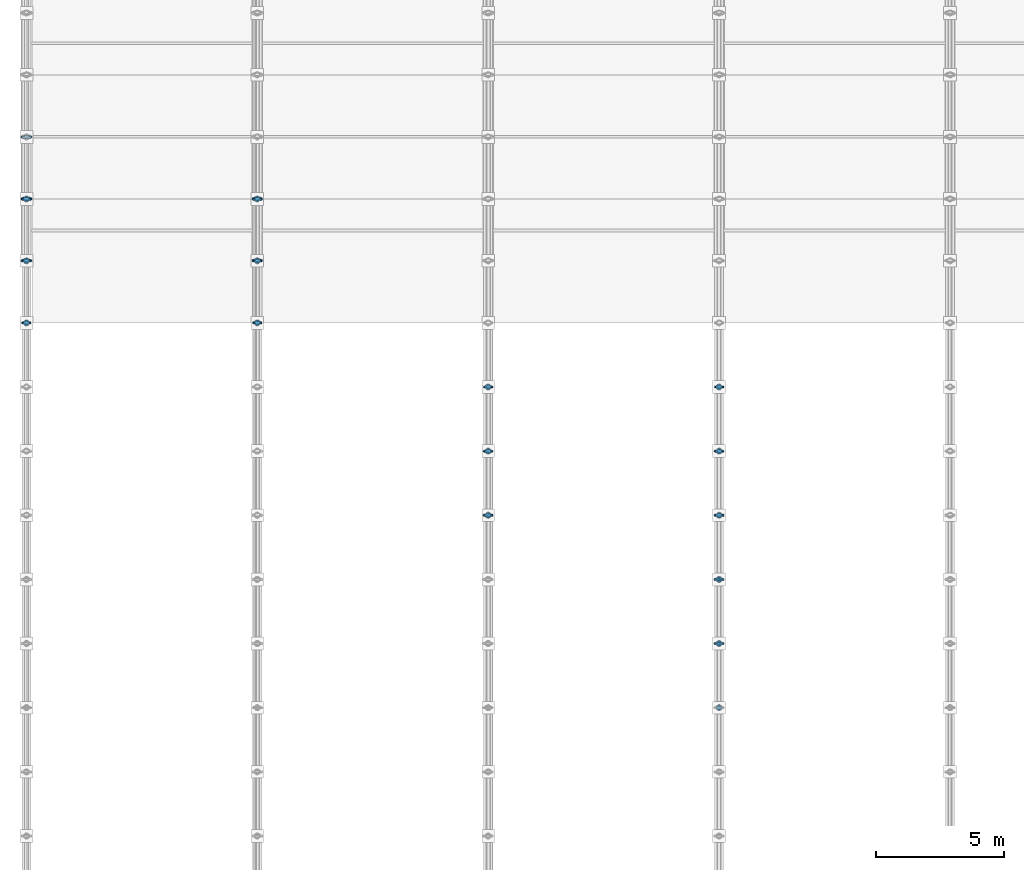
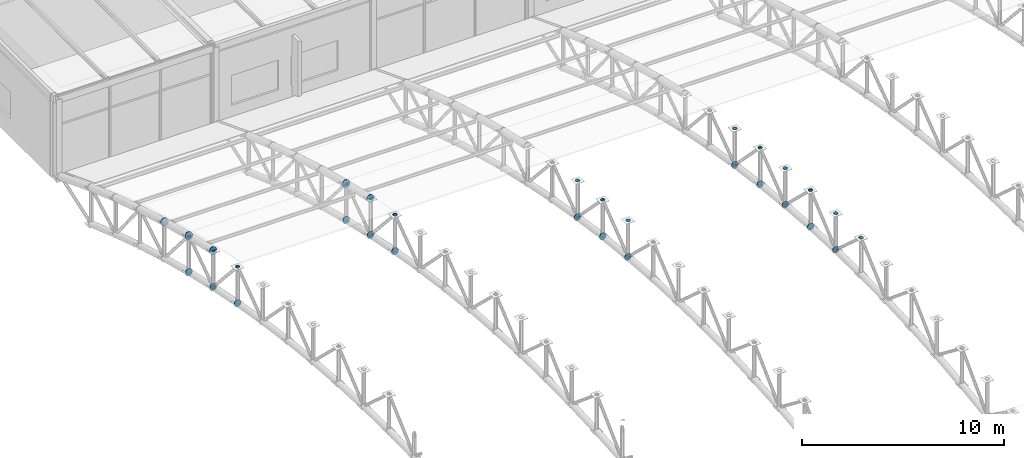
# One storey, part 130 of 195: 93 discrete accessories.
"""IFC4 building model written with IfcOpenShell, lengths in metres."""

from ifc_helpers import new_model, si_unit, direction, frame, origin, origin_2d, place, context, subcontext, project, spatial, circle, extrude, material, element, save


model = new_model("IFC4")

# Units and contexts
model_context = context("Model", 3, precision=1e-05, world=origin(), true_north=direction((0.0, 1.0)))
body_context = subcontext(model_context, "Body", "Model", "MODEL_VIEW")
ifc_project = project(units=[si_unit("LENGTHUNIT", "METRE"), si_unit("AREAUNIT", "SQUARE_METRE"), si_unit("VOLUMEUNIT", "CUBIC_METRE"), si_unit("PLANEANGLEUNIT", "RADIAN"), si_unit("MASSUNIT", "GRAM", prefix="KILO")], contexts=[model_context])

# Site, building, storey
site_placement = place(None, origin())
site = spatial("IfcSite", under=ifc_project, at=site_placement, CompositionType="ELEMENT")
building_placement = place(site_placement, origin())
building = spatial("IfcBuilding", under=site, at=building_placement, Name="Marlcrest Central Station", CompositionType="ELEMENT")
storey_placement = place(building_placement, frame((0.0, 0.0, 9.800048828125)))
storey = spatial("IfcBuildingStorey", under=building, at=storey_placement, Name="L02", CompositionType="ELEMENT", Elevation=9.800048828125)

# Discrete accessories
ifc_material = material(Name="Steel S355", Category="steel")
discrete_accessory_1_placement = place(storey_placement, frame((0.0, 80.975341796875, 3.407958984375), z_axis=(0.0, 0.98574109921, -0.168269086076), x_axis=(-1.0, 0.0, 0.0)))
element("IfcDiscreteAccessory", 1, at=discrete_accessory_1_placement, inside=storey, material=ifc_material, Name="endcap-mem-AC-02-L02-00132-e", ObjectType="END_CAP_PLATE", PredefinedType="BRACKET", context=body_context, shape_type="SweptSolid", body=[
    extrude(circle(Radius=0.185791015625, at=origin_2d()), origin(), (0.0, 0.0, 1.0), 0.0400390625),
])
discrete_accessory_2_placement = place(storey_placement, frame((0.0, 80.9794921875, 5.58935546875), z_axis=(0.0, 0.815661132754, 0.57852996164), x_axis=(-1.0, 0.0, 0.0)))
element("IfcDiscreteAccessory", 2, at=discrete_accessory_2_placement, inside=storey, material=ifc_material, Name="endcap-mem-AD-01-L02-00134-e", ObjectType="END_CAP_PLATE", PredefinedType="BRACKET", context=body_context, shape_type="SweptSolid", body=[
    extrude(circle(Radius=0.092041015625, at=origin_2d()), origin(), (0.0, 0.0, 1.0), 0.0400390625),
])
for number, where, z_axis, x_axis, name in (
    (3, (0.0, 80.9853515625, 3.40673828125), (0.0, 0.980359417961, -0.197219196874), (-1.0, 0.0, 0.0), "endcap-mem-AC-02-L02-00136-s"),
    (4, (0.0, 83.3955078125, 2.921875), (0.0, 0.980359417961, -0.197219196874), (-1.0, 0.0, 0.0), "endcap-mem-AC-02-L02-00136-e"),
):
    element("IfcDiscreteAccessory", number, at=place(storey_placement, frame(where, z_axis=z_axis, x_axis=x_axis)), inside=storey, material=ifc_material, Name=name, ObjectType="END_CAP_PLATE", PredefinedType="BRACKET", context=body_context, shape_type="SweptSolid", body=[
        extrude(circle(Radius=0.185791015625, at=origin_2d()), origin(), (0.0, 0.0, 1.0), 0.0400390625),
    ])
for number, where, z_axis, x_axis, name in (
    (5, (0.0, 81.0, 3.388916015625), (0.0, 0.0, 1.0), (1.0, 0.0, 0.0), "endcap-mem-AP-01-L02-00137-s"),
    (6, (0.0, 81.0, 5.578857421875), (0.0, 0.0, 1.0), (1.0, 0.0, 0.0), "endcap-mem-AP-01-L02-00137-e"),
):
    element("IfcDiscreteAccessory", number, at=place(storey_placement, frame(where, z_axis=z_axis, x_axis=x_axis)), inside=storey, material=ifc_material, Name=name, ObjectType="END_CAP_PLATE", PredefinedType="BRACKET", context=body_context, shape_type="SweptSolid", body=[
        extrude(circle(Radius=0.117431640625, at=origin_2d()), origin(), (0.0, 0.0, 1.0), 0.0400390625),
    ])
for number, where, z_axis, x_axis, name in (
    (7, (0.0, 80.989990234375, 5.614990234375), (0.0, 0.669244457479, -0.743042297675), (-1.0, 0.0, 0.0), "endcap-mem-AD-01-L02-00138-s"),
    (8, (0.0, 83.403076171875, 2.935546875), (0.0, 0.669244457479, -0.743042297675), (-1.0, 0.0, 0.0), "endcap-mem-AD-01-L02-00138-e"),
):
    element("IfcDiscreteAccessory", number, at=place(storey_placement, frame(where, z_axis=z_axis, x_axis=x_axis)), inside=storey, material=ifc_material, Name=name, ObjectType="END_CAP_PLATE", PredefinedType="BRACKET", context=body_context, shape_type="SweptSolid", body=[
        extrude(circle(Radius=0.092041015625, at=origin_2d()), origin(), (0.0, 0.0, 1.0), 0.0400390625),
    ])
for number, where, z_axis, x_axis, name in (
    (9, (0.0, 83.4052734375, 5.120361328125), (0.0, 0.974329612642, -0.225126200004), (-1.0, 0.0, 0.0), "endcap-mem-AC-01-L02-00139-s"),
    (10, (0.0, 85.8056640625, 4.565673828125), (0.0, 0.974329612642, -0.225126200004), (-1.0, 0.0, 0.0), "endcap-mem-AC-01-L02-00139-e"),
):
    element("IfcDiscreteAccessory", number, at=place(storey_placement, frame(where, z_axis=z_axis, x_axis=x_axis)), inside=storey, material=ifc_material, Name=name, ObjectType="END_CAP_PLATE", PredefinedType="BRACKET", context=body_context, shape_type="SweptSolid", body=[
        extrude(circle(Radius=0.211181640625, at=origin_2d()), origin(), (0.0, 0.0, 1.0), 0.0400390625),
    ])
for number, where, z_axis, x_axis, name in (
    (11, (0.0, 83.4052734375, 2.92041015625), (0.0, 0.974307959875, -0.225219891049), (-1.0, 0.0, 0.0), "endcap-mem-AC-02-L02-00140-s"),
    (12, (0.0, 85.8056640625, 2.365478515625), (0.0, 0.974307959875, -0.225219891049), (-1.0, 0.0, 0.0), "endcap-mem-AC-02-L02-00140-e"),
):
    element("IfcDiscreteAccessory", number, at=place(storey_placement, frame(where, z_axis=z_axis, x_axis=x_axis)), inside=storey, material=ifc_material, Name=name, ObjectType="END_CAP_PLATE", PredefinedType="BRACKET", context=body_context, shape_type="SweptSolid", body=[
        extrude(circle(Radius=0.185791015625, at=origin_2d()), origin(), (0.0, 0.0, 1.0), 0.0400390625),
    ])
for number, where, z_axis, x_axis, name in (
    (13, (0.0, 83.419921875, 2.902099609375), (0.0, 0.0, 1.0), (1.0, 0.0, 0.0), "endcap-mem-AP-01-L02-00141-s"),
    (14, (0.0, 83.419921875, 5.092041015625), (0.0, 0.0, 1.0), (1.0, 0.0, 0.0), "endcap-mem-AP-01-L02-00141-e"),
):
    element("IfcDiscreteAccessory", number, at=place(storey_placement, frame(where, z_axis=z_axis, x_axis=x_axis)), inside=storey, material=ifc_material, Name=name, ObjectType="END_CAP_PLATE", PredefinedType="BRACKET", context=body_context, shape_type="SweptSolid", body=[
        extrude(circle(Radius=0.117431640625, at=origin_2d()), origin(), (0.0, 0.0, 1.0), 0.0400390625),
    ])
for number, where, z_axis, x_axis, name in (
    (15, (0.0, 83.407470703125, 2.908447265625), (0.0, 0.82626275624, 0.563284881432), (-1.0, 0.0, 0.0), "endcap-mem-AD-01-L02-00142-s"),
    (16, (0.0, 85.809326171875, 4.5458984375), (0.0, 0.82626275624, 0.563284881432), (-1.0, 0.0, 0.0), "endcap-mem-AD-01-L02-00142-e"),
):
    element("IfcDiscreteAccessory", number, at=place(storey_placement, frame(where, z_axis=z_axis, x_axis=x_axis)), inside=storey, material=ifc_material, Name=name, ObjectType="END_CAP_PLATE", PredefinedType="BRACKET", context=body_context, shape_type="SweptSolid", body=[
        extrude(circle(Radius=0.092041015625, at=origin_2d()), origin(), (0.0, 0.0, 1.0), 0.0400390625),
    ])
for number, where, z_axis, x_axis, name in (
    (17, (0.0, 85.815673828125, 4.56396484375), (0.0, 0.967539481681, -0.252719906989), (-1.0, 0.0, 0.0), "endcap-mem-AC-01-L02-00143-s"),
    (18, (0.0, 88.225830078125, 3.934326171875), (0.0, 0.967539481681, -0.252719906989), (-1.0, 0.0, 0.0), "endcap-mem-AC-01-L02-00143-e"),
):
    element("IfcDiscreteAccessory", number, at=place(storey_placement, frame(where, z_axis=z_axis, x_axis=x_axis)), inside=storey, material=ifc_material, Name=name, ObjectType="END_CAP_PLATE", PredefinedType="BRACKET", context=body_context, shape_type="SweptSolid", body=[
        extrude(circle(Radius=0.211181640625, at=origin_2d()), origin(), (0.0, 0.0, 1.0), 0.0400390625),
    ])
discrete_accessory_3_placement = place(storey_placement, frame((0.0, 85.815673828125, 2.36376953125), z_axis=(0.0, 0.967563345928, -0.252628524946), x_axis=(-1.0, 0.0, 0.0)))
element("IfcDiscreteAccessory", 19, at=discrete_accessory_3_placement, inside=storey, material=ifc_material, Name="endcap-mem-AC-02-L02-00144-s", ObjectType="END_CAP_PLATE", PredefinedType="BRACKET", context=body_context, shape_type="SweptSolid", body=[
    extrude(circle(Radius=0.185791015625, at=origin_2d()), origin(), (0.0, 0.0, 1.0), 0.0400390625),
])
for number, where, z_axis, x_axis, name in (
    (20, (0.0, 85.830078125, 2.344970703125), (0.0, 0.0, 1.0), (1.0, 0.0, 0.0), "endcap-mem-AP-01-L02-00145-s"),
    (21, (0.0, 85.830078125, 4.53515625), (0.0, 0.0, 1.0), (1.0, 0.0, 0.0), "endcap-mem-AP-01-L02-00145-e"),
):
    element("IfcDiscreteAccessory", number, at=place(storey_placement, frame(where, z_axis=z_axis, x_axis=x_axis)), inside=storey, material=ifc_material, Name=name, ObjectType="END_CAP_PLATE", PredefinedType="BRACKET", context=body_context, shape_type="SweptSolid", body=[
        extrude(circle(Radius=0.117431640625, at=origin_2d()), origin(), (0.0, 0.0, 1.0), 0.0400390625),
    ])
discrete_accessory_4_placement = place(storey_placement, frame((0.0, 85.8203125, 4.571533203125), z_axis=(0.0, 0.649624779144, -0.760254987699), x_axis=(-1.0, 0.0, 0.0)))
element("IfcDiscreteAccessory", 22, at=discrete_accessory_4_placement, inside=storey, material=ifc_material, Name="endcap-mem-AD-01-L02-00146-s", ObjectType="END_CAP_PLATE", PredefinedType="BRACKET", context=body_context, shape_type="SweptSolid", body=[
    extrude(circle(Radius=0.092041015625, at=origin_2d()), origin(), (0.0, 0.0, 1.0), 0.0400390625),
])
discrete_accessory_5_placement = place(storey_placement, frame((9.0, 80.975341796875, 3.407958984375), z_axis=(0.0, 0.98574109921, -0.168269086076), x_axis=(-1.0, 0.0, 0.0)))
element("IfcDiscreteAccessory", 23, at=discrete_accessory_5_placement, inside=storey, material=ifc_material, Name="endcap-mem-AC-02-L02-00248-e", ObjectType="END_CAP_PLATE", PredefinedType="BRACKET", context=body_context, shape_type="SweptSolid", body=[
    extrude(circle(Radius=0.185791015625, at=origin_2d()), origin(), (0.0, 0.0, 1.0), 0.0400390625),
])
discrete_accessory_6_placement = place(storey_placement, frame((9.0, 80.9794921875, 5.58935546875), z_axis=(0.0, 0.815661132754, 0.57852996164), x_axis=(-1.0, 0.0, 0.0)))
element("IfcDiscreteAccessory", 24, at=discrete_accessory_6_placement, inside=storey, material=ifc_material, Name="endcap-mem-AD-01-L02-00250-e", ObjectType="END_CAP_PLATE", PredefinedType="BRACKET", context=body_context, shape_type="SweptSolid", body=[
    extrude(circle(Radius=0.092041015625, at=origin_2d()), origin(), (0.0, 0.0, 1.0), 0.0400390625),
])
for number, where, z_axis, x_axis, name in (
    (25, (9.0, 80.9853515625, 3.40673828125), (0.0, 0.980359417961, -0.197219196874), (-1.0, 0.0, 0.0), "endcap-mem-AC-02-L02-00252-s"),
    (26, (9.0, 83.3955078125, 2.921875), (0.0, 0.980359417961, -0.197219196874), (-1.0, 0.0, 0.0), "endcap-mem-AC-02-L02-00252-e"),
):
    element("IfcDiscreteAccessory", number, at=place(storey_placement, frame(where, z_axis=z_axis, x_axis=x_axis)), inside=storey, material=ifc_material, Name=name, ObjectType="END_CAP_PLATE", PredefinedType="BRACKET", context=body_context, shape_type="SweptSolid", body=[
        extrude(circle(Radius=0.185791015625, at=origin_2d()), origin(), (0.0, 0.0, 1.0), 0.0400390625),
    ])
for number, where, z_axis, x_axis, name in (
    (27, (9.0, 81.0, 3.388916015625), (0.0, 0.0, 1.0), (1.0, 0.0, 0.0), "endcap-mem-AP-01-L02-00253-s"),
    (28, (9.0, 81.0, 5.578857421875), (0.0, 0.0, 1.0), (1.0, 0.0, 0.0), "endcap-mem-AP-01-L02-00253-e"),
):
    element("IfcDiscreteAccessory", number, at=place(storey_placement, frame(where, z_axis=z_axis, x_axis=x_axis)), inside=storey, material=ifc_material, Name=name, ObjectType="END_CAP_PLATE", PredefinedType="BRACKET", context=body_context, shape_type="SweptSolid", body=[
        extrude(circle(Radius=0.117431640625, at=origin_2d()), origin(), (0.0, 0.0, 1.0), 0.0400390625),
    ])
for number, where, z_axis, x_axis, name in (
    (29, (9.0, 80.989990234375, 5.614990234375), (0.0, 0.669244457479, -0.743042297675), (-1.0, 0.0, 0.0), "endcap-mem-AD-01-L02-00254-s"),
    (30, (9.0, 83.403076171875, 2.935546875), (0.0, 0.669244457479, -0.743042297675), (-1.0, 0.0, 0.0), "endcap-mem-AD-01-L02-00254-e"),
):
    element("IfcDiscreteAccessory", number, at=place(storey_placement, frame(where, z_axis=z_axis, x_axis=x_axis)), inside=storey, material=ifc_material, Name=name, ObjectType="END_CAP_PLATE", PredefinedType="BRACKET", context=body_context, shape_type="SweptSolid", body=[
        extrude(circle(Radius=0.092041015625, at=origin_2d()), origin(), (0.0, 0.0, 1.0), 0.0400390625),
    ])
for number, where, z_axis, x_axis, name in (
    (31, (9.0, 83.4052734375, 5.120361328125), (0.0, 0.974329612642, -0.225126200004), (-1.0, 0.0, 0.0), "endcap-mem-AC-01-L02-00255-s"),
    (32, (9.0, 85.8056640625, 4.565673828125), (0.0, 0.974329612642, -0.225126200004), (-1.0, 0.0, 0.0), "endcap-mem-AC-01-L02-00255-e"),
):
    element("IfcDiscreteAccessory", number, at=place(storey_placement, frame(where, z_axis=z_axis, x_axis=x_axis)), inside=storey, material=ifc_material, Name=name, ObjectType="END_CAP_PLATE", PredefinedType="BRACKET", context=body_context, shape_type="SweptSolid", body=[
        extrude(circle(Radius=0.211181640625, at=origin_2d()), origin(), (0.0, 0.0, 1.0), 0.0400390625),
    ])
for number, where, z_axis, x_axis, name in (
    (33, (9.0, 83.4052734375, 2.92041015625), (0.0, 0.974307959875, -0.225219891049), (-1.0, 0.0, 0.0), "endcap-mem-AC-02-L02-00256-s"),
    (34, (9.0, 85.8056640625, 2.365478515625), (0.0, 0.974307959875, -0.225219891049), (-1.0, 0.0, 0.0), "endcap-mem-AC-02-L02-00256-e"),
):
    element("IfcDiscreteAccessory", number, at=place(storey_placement, frame(where, z_axis=z_axis, x_axis=x_axis)), inside=storey, material=ifc_material, Name=name, ObjectType="END_CAP_PLATE", PredefinedType="BRACKET", context=body_context, shape_type="SweptSolid", body=[
        extrude(circle(Radius=0.185791015625, at=origin_2d()), origin(), (0.0, 0.0, 1.0), 0.0400390625),
    ])
for number, where, z_axis, x_axis, name in (
    (35, (9.0, 83.419921875, 2.902099609375), (0.0, 0.0, 1.0), (1.0, 0.0, 0.0), "endcap-mem-AP-01-L02-00257-s"),
    (36, (9.0, 83.419921875, 5.092041015625), (0.0, 0.0, 1.0), (1.0, 0.0, 0.0), "endcap-mem-AP-01-L02-00257-e"),
):
    element("IfcDiscreteAccessory", number, at=place(storey_placement, frame(where, z_axis=z_axis, x_axis=x_axis)), inside=storey, material=ifc_material, Name=name, ObjectType="END_CAP_PLATE", PredefinedType="BRACKET", context=body_context, shape_type="SweptSolid", body=[
        extrude(circle(Radius=0.117431640625, at=origin_2d()), origin(), (0.0, 0.0, 1.0), 0.0400390625),
    ])
for number, where, z_axis, x_axis, name in (
    (37, (9.0, 83.407470703125, 2.908447265625), (0.0, 0.82626275624, 0.563284881432), (-1.0, 0.0, 0.0), "endcap-mem-AD-01-L02-00258-s"),
    (38, (9.0, 85.809326171875, 4.5458984375), (0.0, 0.82626275624, 0.563284881432), (-1.0, 0.0, 0.0), "endcap-mem-AD-01-L02-00258-e"),
):
    element("IfcDiscreteAccessory", number, at=place(storey_placement, frame(where, z_axis=z_axis, x_axis=x_axis)), inside=storey, material=ifc_material, Name=name, ObjectType="END_CAP_PLATE", PredefinedType="BRACKET", context=body_context, shape_type="SweptSolid", body=[
        extrude(circle(Radius=0.092041015625, at=origin_2d()), origin(), (0.0, 0.0, 1.0), 0.0400390625),
    ])
discrete_accessory_7_placement = place(storey_placement, frame((9.0, 85.815673828125, 4.56396484375), z_axis=(0.0, 0.967539481681, -0.252719906989), x_axis=(-1.0, 0.0, 0.0)))
element("IfcDiscreteAccessory", 39, at=discrete_accessory_7_placement, inside=storey, material=ifc_material, Name="endcap-mem-AC-01-L02-00259-s", ObjectType="END_CAP_PLATE", PredefinedType="BRACKET", context=body_context, shape_type="SweptSolid", body=[
    extrude(circle(Radius=0.211181640625, at=origin_2d()), origin(), (0.0, 0.0, 1.0), 0.0400390625),
])
discrete_accessory_8_placement = place(storey_placement, frame((9.0, 85.815673828125, 2.36376953125), z_axis=(0.0, 0.967563345928, -0.252628524946), x_axis=(-1.0, 0.0, 0.0)))
element("IfcDiscreteAccessory", 40, at=discrete_accessory_8_placement, inside=storey, material=ifc_material, Name="endcap-mem-AC-02-L02-00260-s", ObjectType="END_CAP_PLATE", PredefinedType="BRACKET", context=body_context, shape_type="SweptSolid", body=[
    extrude(circle(Radius=0.185791015625, at=origin_2d()), origin(), (0.0, 0.0, 1.0), 0.0400390625),
])
for number, where, z_axis, x_axis, name in (
    (41, (9.0, 85.830078125, 2.344970703125), (0.0, 0.0, 1.0), (1.0, 0.0, 0.0), "endcap-mem-AP-01-L02-00261-s"),
    (42, (9.0, 85.830078125, 4.53515625), (0.0, 0.0, 1.0), (1.0, 0.0, 0.0), "endcap-mem-AP-01-L02-00261-e"),
):
    element("IfcDiscreteAccessory", number, at=place(storey_placement, frame(where, z_axis=z_axis, x_axis=x_axis)), inside=storey, material=ifc_material, Name=name, ObjectType="END_CAP_PLATE", PredefinedType="BRACKET", context=body_context, shape_type="SweptSolid", body=[
        extrude(circle(Radius=0.117431640625, at=origin_2d()), origin(), (0.0, 0.0, 1.0), 0.0400390625),
    ])
discrete_accessory_9_placement = place(storey_placement, frame((9.0, 85.8203125, 4.571533203125), z_axis=(0.0, 0.649624779144, -0.760254987699), x_axis=(-1.0, 0.0, 0.0)))
element("IfcDiscreteAccessory", 43, at=discrete_accessory_9_placement, inside=storey, material=ifc_material, Name="endcap-mem-AD-01-L02-00262-s", ObjectType="END_CAP_PLATE", PredefinedType="BRACKET", context=body_context, shape_type="SweptSolid", body=[
    extrude(circle(Radius=0.092041015625, at=origin_2d()), origin(), (0.0, 0.0, 1.0), 0.0400390625),
])
discrete_accessory_10_placement = place(storey_placement, frame((18.0, 73.47509765625, 4.452880859375), z_axis=(0.0, 0.997007334767, -0.077307014043), x_axis=(-1.0, 0.0, 0.0)))
element("IfcDiscreteAccessory", 44, at=discrete_accessory_10_placement, inside=storey, material=ifc_material, Name="endcap-mem-AC-02-L02-00352-e", ObjectType="END_CAP_PLATE", PredefinedType="BRACKET", context=body_context, shape_type="SweptSolid", body=[
    extrude(circle(Radius=0.185791015625, at=origin_2d()), origin(), (0.0, 0.0, 1.0), 0.0400390625),
])
discrete_accessory_11_placement = place(storey_placement, frame((18.0, 73.48193359375, 4.46826171875), z_axis=(0.0, 0.722246537655, -0.691635698071), x_axis=(-1.0, 0.0, 0.0)))
element("IfcDiscreteAccessory", 45, at=discrete_accessory_11_placement, inside=storey, material=ifc_material, Name="endcap-mem-AD-01-L02-00354-e", ObjectType="END_CAP_PLATE", PredefinedType="BRACKET", context=body_context, shape_type="SweptSolid", body=[
    extrude(circle(Radius=0.092041015625, at=origin_2d()), origin(), (0.0, 0.0, 1.0), 0.0400390625),
])
for number, where, z_axis, x_axis, name in (
    (46, (18.0, 73.485107421875, 4.45263671875), (0.0, 0.994155341034, -0.107959056565), (-1.0, 0.0, 0.0), "endcap-mem-AC-02-L02-00356-s"),
    (47, (18.0, 75.97509765625, 4.18212890625), (0.0, 0.994155341034, -0.107959056565), (-1.0, 0.0, 0.0), "endcap-mem-AC-02-L02-00356-e"),
):
    element("IfcDiscreteAccessory", number, at=place(storey_placement, frame(where, z_axis=z_axis, x_axis=x_axis)), inside=storey, material=ifc_material, Name=name, ObjectType="END_CAP_PLATE", PredefinedType="BRACKET", context=body_context, shape_type="SweptSolid", body=[
        extrude(circle(Radius=0.185791015625, at=origin_2d()), origin(), (0.0, 0.0, 1.0), 0.0400390625),
    ])
for number, where, z_axis, x_axis, name in (
    (48, (18.0, 73.5, 4.43603515625), (0.0, 0.0, 1.0), (1.0, 0.0, 0.0), "endcap-mem-AP-01-L02-00357-s"),
    (49, (18.0, 73.5, 6.6259765625), (0.0, 0.0, 1.0), (1.0, 0.0, 0.0), "endcap-mem-AP-01-L02-00357-e"),
):
    element("IfcDiscreteAccessory", number, at=place(storey_placement, frame(where, z_axis=z_axis, x_axis=x_axis)), inside=storey, material=ifc_material, Name=name, ObjectType="END_CAP_PLATE", PredefinedType="BRACKET", context=body_context, shape_type="SweptSolid", body=[
        extrude(circle(Radius=0.117431640625, at=origin_2d()), origin(), (0.0, 0.0, 1.0), 0.0400390625),
    ])
for number, where, z_axis, x_axis, name in (
    (50, (18.0, 73.488037109375, 4.441650390625), (0.0, 0.791798282026, 0.610782678684), (-1.0, 0.0, 0.0), "endcap-mem-AD-01-L02-00358-s"),
    (51, (18.0, 75.980224609375, 6.364013671875), (0.0, 0.791798282026, 0.610782678684), (-1.0, 0.0, 0.0), "endcap-mem-AD-01-L02-00358-e"),
):
    element("IfcDiscreteAccessory", number, at=place(storey_placement, frame(where, z_axis=z_axis, x_axis=x_axis)), inside=storey, material=ifc_material, Name=name, ObjectType="END_CAP_PLATE", PredefinedType="BRACKET", context=body_context, shape_type="SweptSolid", body=[
        extrude(circle(Radius=0.092041015625, at=origin_2d()), origin(), (0.0, 0.0, 1.0), 0.0400390625),
    ])
for number, where, z_axis, x_axis, name in (
    (52, (18.0, 75.985107421875, 4.181396484375), (0.0, 0.990402740232, -0.138211476152), (-1.0, 0.0, 0.0), "endcap-mem-AC-02-L02-00360-s"),
    (53, (18.0, 78.475341796875, 3.833984375), (0.0, 0.990402740232, -0.138211476152), (-1.0, 0.0, 0.0), "endcap-mem-AC-02-L02-00360-e"),
):
    element("IfcDiscreteAccessory", number, at=place(storey_placement, frame(where, z_axis=z_axis, x_axis=x_axis)), inside=storey, material=ifc_material, Name=name, ObjectType="END_CAP_PLATE", PredefinedType="BRACKET", context=body_context, shape_type="SweptSolid", body=[
        extrude(circle(Radius=0.185791015625, at=origin_2d()), origin(), (0.0, 0.0, 1.0), 0.0400390625),
    ])
for number, where, z_axis, x_axis, name in (
    (54, (18.0, 76.0, 4.16455078125), (0.0, 0.0, 1.0), (1.0, 0.0, 0.0), "endcap-mem-AP-01-L02-00361-s"),
    (55, (18.0, 76.0, 6.3544921875), (0.0, 0.0, 1.0), (1.0, 0.0, 0.0), "endcap-mem-AP-01-L02-00361-e"),
):
    element("IfcDiscreteAccessory", number, at=place(storey_placement, frame(where, z_axis=z_axis, x_axis=x_axis)), inside=storey, material=ifc_material, Name=name, ObjectType="END_CAP_PLATE", PredefinedType="BRACKET", context=body_context, shape_type="SweptSolid", body=[
        extrude(circle(Radius=0.117431640625, at=origin_2d()), origin(), (0.0, 0.0, 1.0), 0.0400390625),
    ])
for number, where, z_axis, x_axis, name in (
    (56, (18.0, 75.989501953125, 6.39013671875), (0.0, 0.70023547796, -0.713911952139), (-1.0, 0.0, 0.0), "endcap-mem-AD-01-L02-00362-s"),
    (57, (18.0, 78.482421875, 3.848388671875), (0.0, 0.70023547796, -0.713911952139), (-1.0, 0.0, 0.0), "endcap-mem-AD-01-L02-00362-e"),
):
    element("IfcDiscreteAccessory", number, at=place(storey_placement, frame(where, z_axis=z_axis, x_axis=x_axis)), inside=storey, material=ifc_material, Name=name, ObjectType="END_CAP_PLATE", PredefinedType="BRACKET", context=body_context, shape_type="SweptSolid", body=[
        extrude(circle(Radius=0.092041015625, at=origin_2d()), origin(), (0.0, 0.0, 1.0), 0.0400390625),
    ])
discrete_accessory_12_placement = place(storey_placement, frame((18.0, 78.485107421875, 3.8330078125), z_axis=(0.0, 0.98574109921, -0.168269086076), x_axis=(-1.0, 0.0, 0.0)))
element("IfcDiscreteAccessory", 58, at=discrete_accessory_12_placement, inside=storey, material=ifc_material, Name="endcap-mem-AC-02-L02-00364-s", ObjectType="END_CAP_PLATE", PredefinedType="BRACKET", context=body_context, shape_type="SweptSolid", body=[
    extrude(circle(Radius=0.185791015625, at=origin_2d()), origin(), (0.0, 0.0, 1.0), 0.0400390625),
])
for number, where, z_axis, x_axis, name in (
    (59, (18.0, 78.5, 3.815673828125), (0.0, 0.0, 1.0), (1.0, 0.0, 0.0), "endcap-mem-AP-01-L02-00365-s"),
    (60, (18.0, 78.5, 6.005615234375), (0.0, 0.0, 1.0), (1.0, 0.0, 0.0), "endcap-mem-AP-01-L02-00365-e"),
):
    element("IfcDiscreteAccessory", number, at=place(storey_placement, frame(where, z_axis=z_axis, x_axis=x_axis)), inside=storey, material=ifc_material, Name=name, ObjectType="END_CAP_PLATE", PredefinedType="BRACKET", context=body_context, shape_type="SweptSolid", body=[
        extrude(circle(Radius=0.117431640625, at=origin_2d()), origin(), (0.0, 0.0, 1.0), 0.0400390625),
    ])
discrete_accessory_13_placement = place(storey_placement, frame((18.0, 78.48779296875, 3.82177734375), z_axis=(0.0, 0.815661132754, 0.57852996164), x_axis=(-1.0, 0.0, 0.0)))
element("IfcDiscreteAccessory", 61, at=discrete_accessory_13_placement, inside=storey, material=ifc_material, Name="endcap-mem-AD-01-L02-00366-s", ObjectType="END_CAP_PLATE", PredefinedType="BRACKET", context=body_context, shape_type="SweptSolid", body=[
    extrude(circle(Radius=0.092041015625, at=origin_2d()), origin(), (0.0, 0.0, 1.0), 0.0400390625),
])
discrete_accessory_14_placement = place(storey_placement, frame((27.0, 68.47509765625, 4.76171875), z_axis=(0.0, 0.999879472592, -0.01552547228), x_axis=(-1.0, 0.0, 0.0)))
element("IfcDiscreteAccessory", 62, at=discrete_accessory_14_placement, inside=storey, material=ifc_material, Name="endcap-mem-AC-02-L02-00460-e", ObjectType="END_CAP_PLATE", PredefinedType="BRACKET", context=body_context, shape_type="SweptSolid", body=[
    extrude(circle(Radius=0.185791015625, at=origin_2d()), origin(), (0.0, 0.0, 1.0), 0.0400390625),
])
discrete_accessory_15_placement = place(storey_placement, frame((27.0, 66.0, 6.97509765625), z_axis=(0.0, 0.0, 1.0), x_axis=(1.0, 0.0, 0.0)))
element("IfcDiscreteAccessory", 63, at=discrete_accessory_15_placement, inside=storey, material=ifc_material, Name="endcap-mem-AP-01-L02-00461-e", ObjectType="END_CAP_PLATE", PredefinedType="BRACKET", context=body_context, shape_type="SweptSolid", body=[
    extrude(circle(Radius=0.117431640625, at=origin_2d()), origin(), (0.0, 0.0, 1.0), 0.0400390625),
])
for number, where, z_axis, x_axis, name in (
    (64, (27.0, 65.98876953125, 7.010009765625), (0.0, 0.744955843007, -0.66711377738), (-1.0, 0.0, 0.0), "endcap-mem-AD-01-L02-00462-s"),
    (65, (27.0, 68.4814453125, 4.77783203125), (0.0, 0.744955843007, -0.66711377738), (-1.0, 0.0, 0.0), "endcap-mem-AD-01-L02-00462-e"),
):
    element("IfcDiscreteAccessory", number, at=place(storey_placement, frame(where, z_axis=z_axis, x_axis=x_axis)), inside=storey, material=ifc_material, Name=name, ObjectType="END_CAP_PLATE", PredefinedType="BRACKET", context=body_context, shape_type="SweptSolid", body=[
        extrude(circle(Radius=0.092041015625, at=origin_2d()), origin(), (0.0, 0.0, 1.0), 0.0400390625),
    ])
for number, where, z_axis, x_axis, name in (
    (66, (27.0, 68.485107421875, 4.761962890625), (0.0, 0.998916819647, -0.046531574509), (-1.0, 0.0, 0.0), "endcap-mem-AC-02-L02-00464-s"),
    (67, (27.0, 70.97509765625, 4.64599609375), (0.0, 0.998916819647, -0.046531574509), (-1.0, 0.0, 0.0), "endcap-mem-AC-02-L02-00464-e"),
):
    element("IfcDiscreteAccessory", number, at=place(storey_placement, frame(where, z_axis=z_axis, x_axis=x_axis)), inside=storey, material=ifc_material, Name=name, ObjectType="END_CAP_PLATE", PredefinedType="BRACKET", context=body_context, shape_type="SweptSolid", body=[
        extrude(circle(Radius=0.185791015625, at=origin_2d()), origin(), (0.0, 0.0, 1.0), 0.0400390625),
    ])
for number, where, z_axis, x_axis, name in (
    (68, (27.0, 68.5, 4.746337890625), (0.0, 0.0, 1.0), (1.0, 0.0, 0.0), "endcap-mem-AP-01-L02-00465-s"),
    (69, (27.0, 68.5, 6.936279296875), (0.0, 0.0, 1.0), (1.0, 0.0, 0.0), "endcap-mem-AP-01-L02-00465-e"),
):
    element("IfcDiscreteAccessory", number, at=place(storey_placement, frame(where, z_axis=z_axis, x_axis=x_axis)), inside=storey, material=ifc_material, Name=name, ObjectType="END_CAP_PLATE", PredefinedType="BRACKET", context=body_context, shape_type="SweptSolid", body=[
        extrude(circle(Radius=0.117431640625, at=origin_2d()), origin(), (0.0, 0.0, 1.0), 0.0400390625),
    ])
for number, where, z_axis, x_axis, name in (
    (70, (27.0, 68.488525390625, 4.751708984375), (0.0, 0.768159787854, 0.640258182552), (-1.0, 0.0, 0.0), "endcap-mem-AD-01-L02-00466-s"),
    (71, (27.0, 70.980712890625, 6.828857421875), (0.0, 0.768159787854, 0.640258182552), (-1.0, 0.0, 0.0), "endcap-mem-AD-01-L02-00466-e"),
):
    element("IfcDiscreteAccessory", number, at=place(storey_placement, frame(where, z_axis=z_axis, x_axis=x_axis)), inside=storey, material=ifc_material, Name=name, ObjectType="END_CAP_PLATE", PredefinedType="BRACKET", context=body_context, shape_type="SweptSolid", body=[
        extrude(circle(Radius=0.092041015625, at=origin_2d()), origin(), (0.0, 0.0, 1.0), 0.0400390625),
    ])
for number, where, z_axis, x_axis, name in (
    (72, (27.0, 70.985107421875, 4.64599609375), (0.0, 0.997007334767, -0.077307014043), (-1.0, 0.0, 0.0), "endcap-mem-AC-02-L02-00468-s"),
    (73, (27.0, 73.47509765625, 4.452880859375), (0.0, 0.997007334767, -0.077307014043), (-1.0, 0.0, 0.0), "endcap-mem-AC-02-L02-00468-e"),
):
    element("IfcDiscreteAccessory", number, at=place(storey_placement, frame(where, z_axis=z_axis, x_axis=x_axis)), inside=storey, material=ifc_material, Name=name, ObjectType="END_CAP_PLATE", PredefinedType="BRACKET", context=body_context, shape_type="SweptSolid", body=[
        extrude(circle(Radius=0.185791015625, at=origin_2d()), origin(), (0.0, 0.0, 1.0), 0.0400390625),
    ])
for number, where, z_axis, x_axis, name in (
    (74, (27.0, 71.0, 4.6298828125), (0.0, 0.0, 1.0), (1.0, 0.0, 0.0), "endcap-mem-AP-01-L02-00469-s"),
    (75, (27.0, 71.0, 6.820068359375), (0.0, 0.0, 1.0), (1.0, 0.0, 0.0), "endcap-mem-AP-01-L02-00469-e"),
):
    element("IfcDiscreteAccessory", number, at=place(storey_placement, frame(where, z_axis=z_axis, x_axis=x_axis)), inside=storey, material=ifc_material, Name=name, ObjectType="END_CAP_PLATE", PredefinedType="BRACKET", context=body_context, shape_type="SweptSolid", body=[
        extrude(circle(Radius=0.117431640625, at=origin_2d()), origin(), (0.0, 0.0, 1.0), 0.0400390625),
    ])
for number, where, z_axis, x_axis, name in (
    (76, (27.0, 70.9892578125, 6.855224609375), (0.0, 0.722246537655, -0.691635698071), (-1.0, 0.0, 0.0), "endcap-mem-AD-01-L02-00470-s"),
    (77, (27.0, 73.48193359375, 4.46826171875), (0.0, 0.722246537655, -0.691635698071), (-1.0, 0.0, 0.0), "endcap-mem-AD-01-L02-00470-e"),
):
    element("IfcDiscreteAccessory", number, at=place(storey_placement, frame(where, z_axis=z_axis, x_axis=x_axis)), inside=storey, material=ifc_material, Name=name, ObjectType="END_CAP_PLATE", PredefinedType="BRACKET", context=body_context, shape_type="SweptSolid", body=[
        extrude(circle(Radius=0.092041015625, at=origin_2d()), origin(), (0.0, 0.0, 1.0), 0.0400390625),
    ])
for number, where, z_axis, x_axis, name in (
    (78, (27.0, 73.485107421875, 4.45263671875), (0.0, 0.994155341034, -0.107959056565), (-1.0, 0.0, 0.0), "endcap-mem-AC-02-L02-00472-s"),
    (79, (27.0, 75.97509765625, 4.18212890625), (0.0, 0.994155341034, -0.107959056565), (-1.0, 0.0, 0.0), "endcap-mem-AC-02-L02-00472-e"),
):
    element("IfcDiscreteAccessory", number, at=place(storey_placement, frame(where, z_axis=z_axis, x_axis=x_axis)), inside=storey, material=ifc_material, Name=name, ObjectType="END_CAP_PLATE", PredefinedType="BRACKET", context=body_context, shape_type="SweptSolid", body=[
        extrude(circle(Radius=0.185791015625, at=origin_2d()), origin(), (0.0, 0.0, 1.0), 0.0400390625),
    ])
for number, where, z_axis, x_axis, name in (
    (80, (27.0, 73.5, 4.43603515625), (0.0, 0.0, 1.0), (1.0, 0.0, 0.0), "endcap-mem-AP-01-L02-00473-s"),
    (81, (27.0, 73.5, 6.6259765625), (0.0, 0.0, 1.0), (1.0, 0.0, 0.0), "endcap-mem-AP-01-L02-00473-e"),
):
    element("IfcDiscreteAccessory", number, at=place(storey_placement, frame(where, z_axis=z_axis, x_axis=x_axis)), inside=storey, material=ifc_material, Name=name, ObjectType="END_CAP_PLATE", PredefinedType="BRACKET", context=body_context, shape_type="SweptSolid", body=[
        extrude(circle(Radius=0.117431640625, at=origin_2d()), origin(), (0.0, 0.0, 1.0), 0.0400390625),
    ])
for number, where, z_axis, x_axis, name in (
    (82, (27.0, 73.488037109375, 4.441650390625), (0.0, 0.791798282026, 0.610782678684), (-1.0, 0.0, 0.0), "endcap-mem-AD-01-L02-00474-s"),
    (83, (27.0, 75.980224609375, 6.364013671875), (0.0, 0.791798282026, 0.610782678684), (-1.0, 0.0, 0.0), "endcap-mem-AD-01-L02-00474-e"),
):
    element("IfcDiscreteAccessory", number, at=place(storey_placement, frame(where, z_axis=z_axis, x_axis=x_axis)), inside=storey, material=ifc_material, Name=name, ObjectType="END_CAP_PLATE", PredefinedType="BRACKET", context=body_context, shape_type="SweptSolid", body=[
        extrude(circle(Radius=0.092041015625, at=origin_2d()), origin(), (0.0, 0.0, 1.0), 0.0400390625),
    ])
for number, where, z_axis, x_axis, name in (
    (84, (27.0, 75.985107421875, 4.181396484375), (0.0, 0.990402740232, -0.138211476152), (-1.0, 0.0, 0.0), "endcap-mem-AC-02-L02-00476-s"),
    (85, (27.0, 78.475341796875, 3.833984375), (0.0, 0.990402740232, -0.138211476152), (-1.0, 0.0, 0.0), "endcap-mem-AC-02-L02-00476-e"),
):
    element("IfcDiscreteAccessory", number, at=place(storey_placement, frame(where, z_axis=z_axis, x_axis=x_axis)), inside=storey, material=ifc_material, Name=name, ObjectType="END_CAP_PLATE", PredefinedType="BRACKET", context=body_context, shape_type="SweptSolid", body=[
        extrude(circle(Radius=0.185791015625, at=origin_2d()), origin(), (0.0, 0.0, 1.0), 0.0400390625),
    ])
for number, where, z_axis, x_axis, name in (
    (86, (27.0, 76.0, 4.16455078125), (0.0, 0.0, 1.0), (1.0, 0.0, 0.0), "endcap-mem-AP-01-L02-00477-s"),
    (87, (27.0, 76.0, 6.3544921875), (0.0, 0.0, 1.0), (1.0, 0.0, 0.0), "endcap-mem-AP-01-L02-00477-e"),
):
    element("IfcDiscreteAccessory", number, at=place(storey_placement, frame(where, z_axis=z_axis, x_axis=x_axis)), inside=storey, material=ifc_material, Name=name, ObjectType="END_CAP_PLATE", PredefinedType="BRACKET", context=body_context, shape_type="SweptSolid", body=[
        extrude(circle(Radius=0.117431640625, at=origin_2d()), origin(), (0.0, 0.0, 1.0), 0.0400390625),
    ])
for number, where, z_axis, x_axis, name in (
    (88, (27.0, 75.989501953125, 6.39013671875), (0.0, 0.70023547796, -0.713911952139), (-1.0, 0.0, 0.0), "endcap-mem-AD-01-L02-00478-s"),
    (89, (27.0, 78.482421875, 3.848388671875), (0.0, 0.70023547796, -0.713911952139), (-1.0, 0.0, 0.0), "endcap-mem-AD-01-L02-00478-e"),
):
    element("IfcDiscreteAccessory", number, at=place(storey_placement, frame(where, z_axis=z_axis, x_axis=x_axis)), inside=storey, material=ifc_material, Name=name, ObjectType="END_CAP_PLATE", PredefinedType="BRACKET", context=body_context, shape_type="SweptSolid", body=[
        extrude(circle(Radius=0.092041015625, at=origin_2d()), origin(), (0.0, 0.0, 1.0), 0.0400390625),
    ])
discrete_accessory_16_placement = place(storey_placement, frame((27.0, 78.485107421875, 3.8330078125), z_axis=(0.0, 0.98574109921, -0.168269086076), x_axis=(-1.0, 0.0, 0.0)))
element("IfcDiscreteAccessory", 90, at=discrete_accessory_16_placement, inside=storey, material=ifc_material, Name="endcap-mem-AC-02-L02-00480-s", ObjectType="END_CAP_PLATE", PredefinedType="BRACKET", context=body_context, shape_type="SweptSolid", body=[
    extrude(circle(Radius=0.185791015625, at=origin_2d()), origin(), (0.0, 0.0, 1.0), 0.0400390625),
])
for number, where, z_axis, x_axis, name in (
    (91, (27.0, 78.5, 3.815673828125), (0.0, 0.0, 1.0), (1.0, 0.0, 0.0), "endcap-mem-AP-01-L02-00481-s"),
    (92, (27.0, 78.5, 6.005615234375), (0.0, 0.0, 1.0), (1.0, 0.0, 0.0), "endcap-mem-AP-01-L02-00481-e"),
):
    element("IfcDiscreteAccessory", number, at=place(storey_placement, frame(where, z_axis=z_axis, x_axis=x_axis)), inside=storey, material=ifc_material, Name=name, ObjectType="END_CAP_PLATE", PredefinedType="BRACKET", context=body_context, shape_type="SweptSolid", body=[
        extrude(circle(Radius=0.117431640625, at=origin_2d()), origin(), (0.0, 0.0, 1.0), 0.0400390625),
    ])
discrete_accessory_17_placement = place(storey_placement, frame((27.0, 78.48779296875, 3.82177734375), z_axis=(0.0, 0.815661132754, 0.57852996164), x_axis=(-1.0, 0.0, 0.0)))
element("IfcDiscreteAccessory", 93, at=discrete_accessory_17_placement, inside=storey, material=ifc_material, Name="endcap-mem-AD-01-L02-00482-s", ObjectType="END_CAP_PLATE", PredefinedType="BRACKET", context=body_context, shape_type="SweptSolid", body=[
    extrude(circle(Radius=0.092041015625, at=origin_2d()), origin(), (0.0, 0.0, 1.0), 0.0400390625),
])

save(model, "model.ifc")
